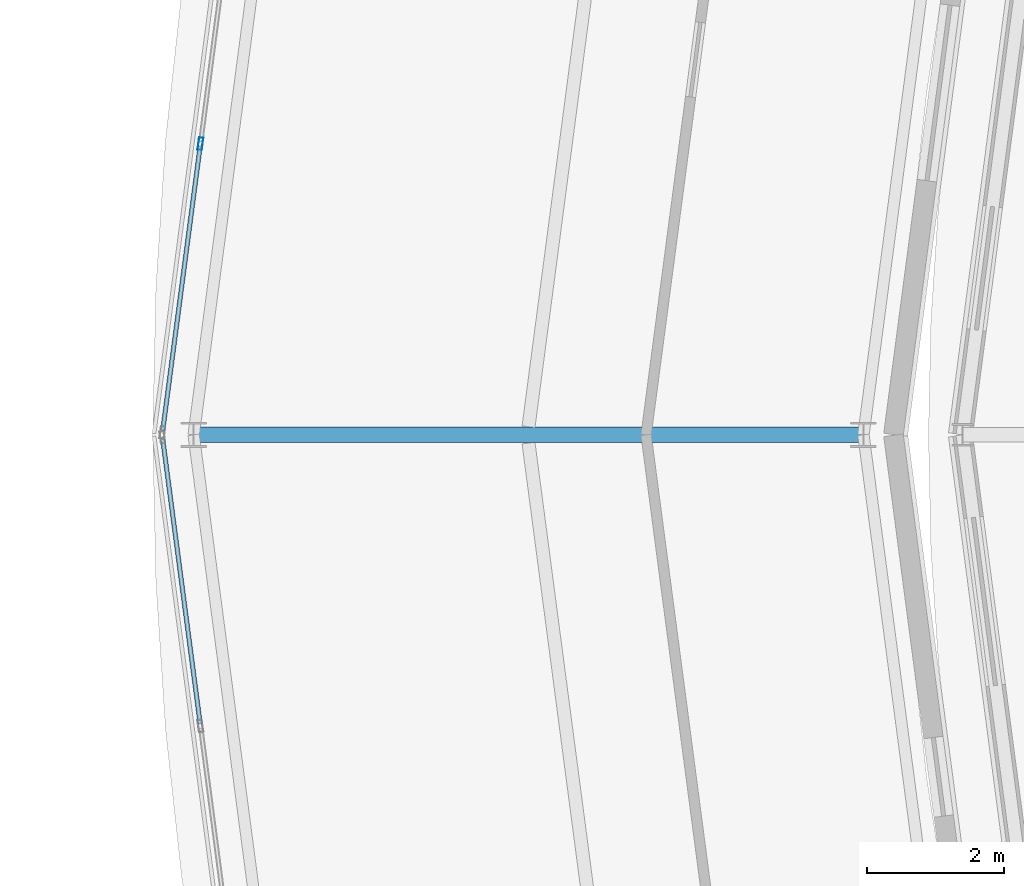
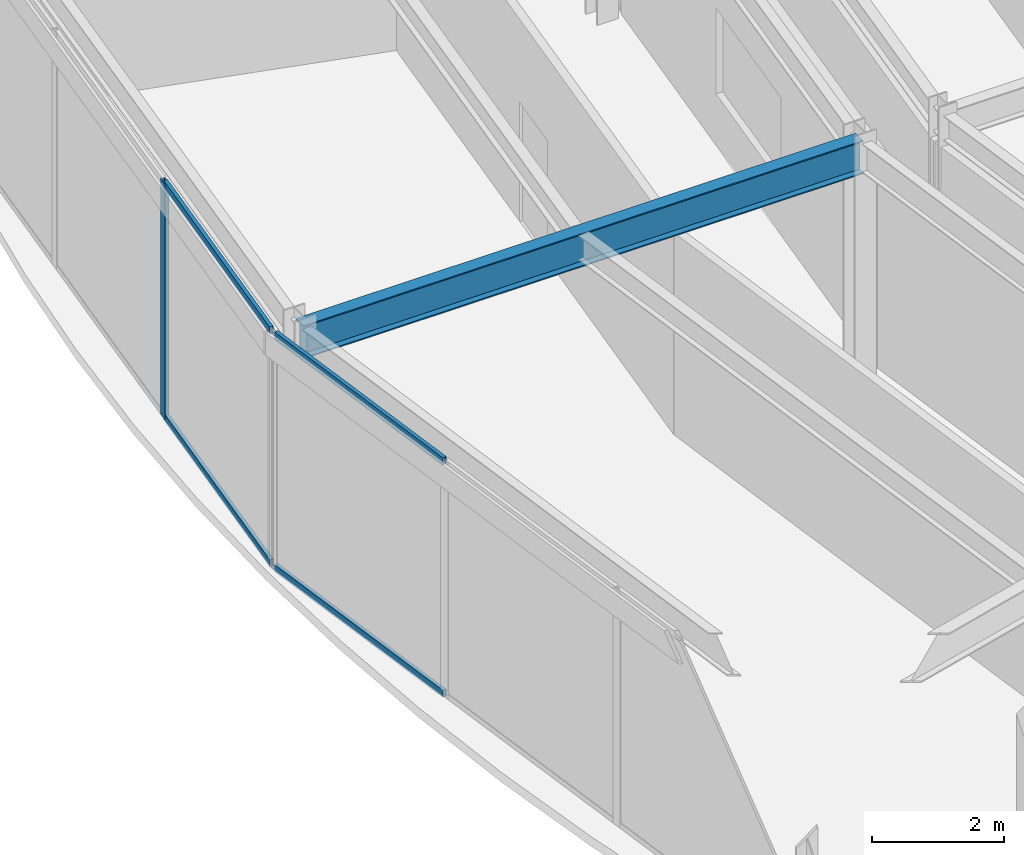
# One storey, part 37 of 157: 5 members, 1 beam, 2 elements without a shape of their own.
"""IFC4 building model written with IfcOpenShell, lengths in metres."""

from ifc_helpers import new_model, si_unit, direction, frame, origin, origin_2d, place, context, subcontext, project, spatial, hollow_rectangle, i_section, extrude, material, material_profile, profile_set, type_object, element, aggregate, save


model = new_model("IFC4")

# Units and contexts
model_context = context("Model", 3, precision=1e-05, world=origin(), true_north=direction((0.0, 1.0)))
body_context = subcontext(model_context, "Body", "Model", "MODEL_VIEW")
ifc_project = project(units=[si_unit("LENGTHUNIT", "METRE"), si_unit("AREAUNIT", "SQUARE_METRE"), si_unit("VOLUMEUNIT", "CUBIC_METRE"), si_unit("PLANEANGLEUNIT", "RADIAN"), si_unit("MASSUNIT", "GRAM", prefix="KILO")], contexts=[model_context])

# Site, building, storey
site_placement = place(None, origin())
site = spatial("IfcSite", under=ifc_project, at=site_placement, CompositionType="ELEMENT")
building_placement = place(site_placement, origin())
building = spatial("IfcBuilding", under=site, at=building_placement, Name="Almandine Court Research Institute", CompositionType="ELEMENT")
storey_placement = place(building_placement, frame((0.0, 0.0, 5.25)))
storey = spatial("IfcBuildingStorey", under=building, at=storey_placement, Name="L01", CompositionType="ELEMENT", Elevation=5.25)

# Beam
ifc_material_1 = material(Name="Steel ASTM A992 Grade 50", Category="steel")
ifc_material_profile_1 = material_profile(ifc_material_1, i_section(OverallWidth=0.22998046875, OverallDepth=0.616943359375, WebThickness=0.012939453125, FlangeThickness=0.02197265625, at=origin_2d()), Name="W610x140")
ifc_profile_set_1 = profile_set([ifc_material_profile_1], Name="Steel ASTM A992 Grade 50")
beam_type = type_object("IfcBeamType", Name="Beam-G-02", PredefinedType="BEAM", material=ifc_profile_set_1)
beam_placement = place(storey_placement, frame((47.89990234375, 56.0, 4.06103515625), z_axis=(-1.0, 0.0, 0.0), x_axis=(0.0, -1.0, 0.0)))
element("IfcBeam", 1, at=beam_placement, inside=storey, type_object=beam_type, Name="L01 Drum Radial Girder 12", PredefinedType="BEAM", context=body_context, shape_type="SweptSolid", body=[
    extrude(i_section(OverallWidth=0.22998046875, OverallDepth=0.616943359375, WebThickness=0.012939453125, FlangeThickness=0.02197265625, at=origin_2d()), origin(), (0.0, 0.0, 1.0), 9.7998046875),
])

# Curtain wall, members
ifc_material_2 = material(Name="Unitised Curtain Wall Framing and Solar Glazing", Category="glass")
curtain_wall_type = type_object("IfcCurtainWallType", Name="CW-CWJ-19", PredefinedType="USERDEFINED", material=ifc_material_2)
curtain_wall_1_placement = place(storey_placement, origin())
curtain_wall_1 = element("IfcCurtainWall", 2, at=curtain_wall_1_placement, inside=storey, type_object=curtain_wall_type, Name="L01 Stacked-Ring Drum Outer Solar Jali Screen 11", ObjectType="SOLAR JALI SCREEN", PredefinedType="USERDEFINED")
ifc_material_3 = material(Name="Anodised Aluminium AW-6063-T6", Category="aluminium")
ifc_material_profile_2 = material_profile(ifc_material_3, hollow_rectangle(XDim=0.06494140625, YDim=0.179931640625, WallThickness=0.00390625, at=origin_2d()), Name="ALU RHS 65x180x4")
ifc_profile_set_2 = profile_set([ifc_material_profile_2], Name="Anodised Aluminium AW-6063-T6")
member_type_1 = type_object("IfcMemberType", Name="CWMul-65x180", PredefinedType="MULLION", material=ifc_profile_set_2)
member_1_placement = place(storey_placement, frame((38.200439453125, 60.259765625, 0.0), z_axis=(0.0, 0.0, 1.0), x_axis=(-0.991442926098, 0.130540891259, 0.0)))
member_1 = element("IfcMember", 3, at=member_1_placement, type_object=member_type_1, Name="CWJ-19 mullion 2", PredefinedType="MULLION", context=body_context, shape_type="SweptSolid", body=[
    extrude(hollow_rectangle(XDim=0.06494140625, YDim=0.179931640625, WallThickness=0.00390625, at=origin_2d()), origin(), (0.0, 0.0, 1.0), 4.3701171875),
])
ifc_material_profile_3 = material_profile(ifc_material_3, hollow_rectangle(XDim=0.06494140625, YDim=0.1298828125, WallThickness=0.00390625, at=origin_2d()), Name="ALU RHS 65x130x4")
ifc_profile_set_3 = profile_set([ifc_material_profile_3], Name="Anodised Aluminium AW-6063-T6")
member_type_2 = type_object("IfcMemberType", Name="CWTrn-65x130", PredefinedType="NOTDEFINED", material=ifc_profile_set_3)
member_2_placement = place(storey_placement, frame((37.6484375, 56.068359375, 0.032470703125), z_axis=(0.130535805655, 0.991443595694, 0.0), x_axis=(-0.991443595694, 0.130535805655, 0.0)))
member_2 = element("IfcMember", 4, at=member_2_placement, type_object=member_type_2, Name="CWJ-19 transom 1.1", ObjectType="TRANSOM", PredefinedType="USERDEFINED", context=body_context, shape_type="SweptSolid", body=[
    extrude(hollow_rectangle(XDim=0.06494140625, YDim=0.1298828125, WallThickness=0.00390625, at=origin_2d()), origin(), (0.0, 0.0, 1.0), 4.195068359375),
])
member_3_placement = place(storey_placement, frame((37.6484375, 56.068359375, 4.33740234375), z_axis=(0.130535805655, 0.991443595694, 0.0), x_axis=(-0.991443595694, 0.130535805655, 0.0)))
member_3 = element("IfcMember", 5, at=member_3_placement, type_object=member_type_2, Name="CWJ-19 transom 1.2", ObjectType="TRANSOM", PredefinedType="USERDEFINED", context=body_context, shape_type="SweptSolid", body=[
    extrude(hollow_rectangle(XDim=0.06494140625, YDim=0.1298828125, WallThickness=0.00390625, at=origin_2d()), origin(), (0.0, 0.0, 1.0), 4.195068359375),
])
aggregate(curtain_wall_1, [member_1, member_2, member_3])

curtain_wall_2_placement = place(storey_placement, origin())
curtain_wall_2 = element("IfcCurtainWall", 6, at=curtain_wall_2_placement, inside=storey, type_object=curtain_wall_type, Name="L01 Stacked-Ring Drum Outer Solar Jali Screen 12", ObjectType="SOLAR JALI SCREEN", PredefinedType="USERDEFINED")
member_4_placement = place(storey_placement, frame((38.196044921875, 51.7724609375, 0.032470703125), z_axis=(-0.130535805655, 0.991443595694, 0.0), x_axis=(-0.991443595694, -0.130535805655, 0.0)))
member_4 = element("IfcMember", 7, at=member_4_placement, type_object=member_type_2, Name="CWJ-19 transom 3.1", ObjectType="TRANSOM", PredefinedType="USERDEFINED", context=body_context, shape_type="SweptSolid", body=[
    extrude(hollow_rectangle(XDim=0.06494140625, YDim=0.1298828125, WallThickness=0.00390625, at=origin_2d()), origin(), (0.0, 0.0, 1.0), 4.195068359375),
])
member_5_placement = place(storey_placement, frame((38.196044921875, 51.7724609375, 4.33740234375), z_axis=(-0.130535805655, 0.991443595694, 0.0), x_axis=(-0.991443595694, -0.130535805655, 0.0)))
member_5 = element("IfcMember", 8, at=member_5_placement, type_object=member_type_2, Name="CWJ-19 transom 3.2", ObjectType="TRANSOM", PredefinedType="USERDEFINED", context=body_context, shape_type="SweptSolid", body=[
    extrude(hollow_rectangle(XDim=0.06494140625, YDim=0.1298828125, WallThickness=0.00390625, at=origin_2d()), origin(), (0.0, 0.0, 1.0), 4.195068359375),
])
aggregate(curtain_wall_2, [member_4, member_5])

save(model, "model.ifc")
